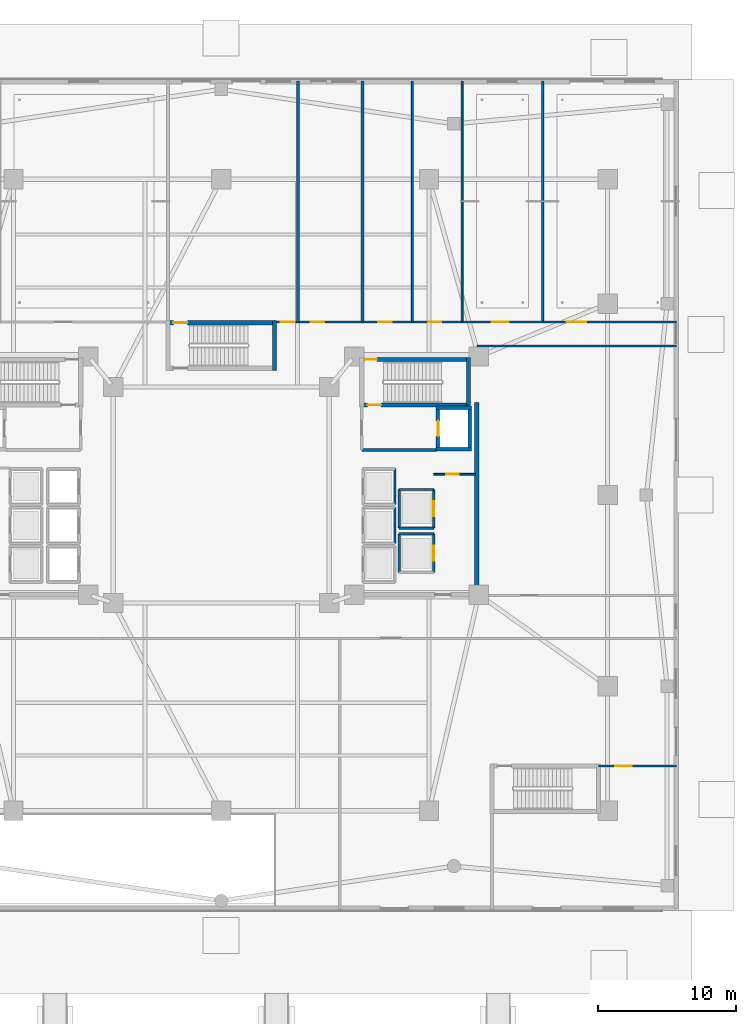
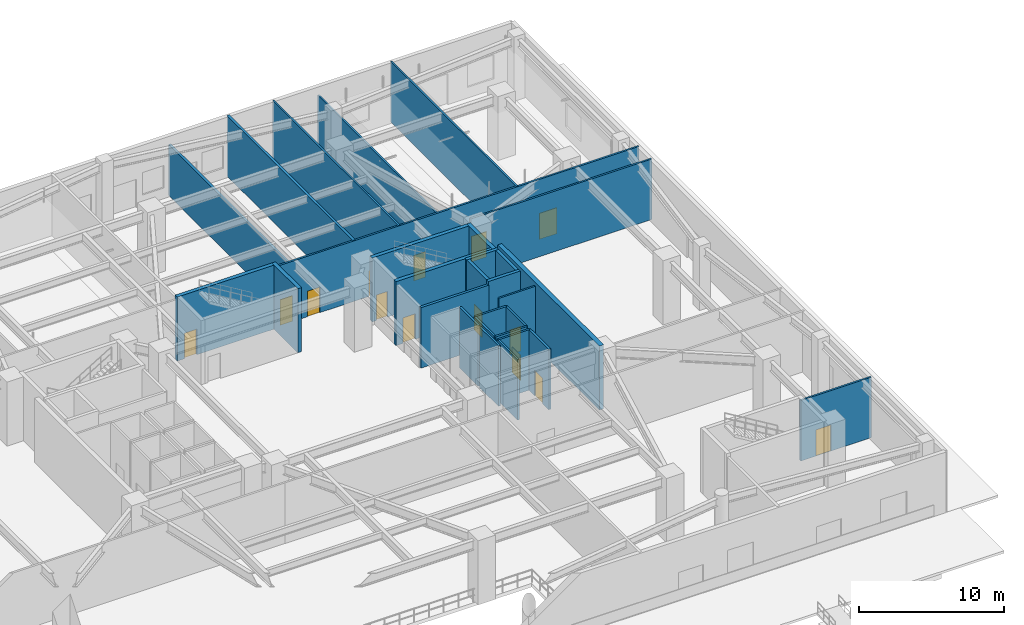
# One storey, part 5 of 18: 29 walls, 14 doors, 14 openings.
"""IFC4 building model written with IfcOpenShell, lengths in metres."""

from ifc_helpers import new_model, si_unit, direction, frame, frame_2d, origin, place, context, subcontext, project, spatial, rectangle, extrude, material, layer, layer_set, type_object, element, fill, save


model = new_model("IFC4")

# Units and contexts
model_context = context("Model", 3, precision=1e-05, world=origin(), true_north=direction((0.0, 1.0)))
body_context = subcontext(model_context, "Body", "Model", "MODEL_VIEW")
ifc_project = project(units=[si_unit("LENGTHUNIT", "METRE"), si_unit("AREAUNIT", "SQUARE_METRE"), si_unit("VOLUMEUNIT", "CUBIC_METRE"), si_unit("PLANEANGLEUNIT", "RADIAN"), si_unit("MASSUNIT", "GRAM", prefix="KILO")], contexts=[model_context])

# Site, building, storey
site_placement = place(None, origin())
site = spatial("IfcSite", under=ifc_project, at=site_placement, CompositionType="ELEMENT")
building_placement = place(site_placement, origin())
building = spatial("IfcBuilding", under=site, at=building_placement, Name="Tarnavaz Court Tower", CompositionType="ELEMENT")
storey_placement = place(building_placement, origin())
storey = spatial("IfcBuildingStorey", under=building, at=storey_placement, Name="L00", CompositionType="ELEMENT", Elevation=0.0)

# Wall, opening, door
ifc_material_1 = material(Name="Concrete C60/75", Category="concrete")
ifc_layer_1 = layer(ifc_material_1, 0.25)
ifc_layer_set_1 = layer_set([ifc_layer_1], Name="Concrete C60/75")
wall_type_1 = type_object("IfcWallType", Name="WL-CORE-250-C60", PredefinedType="SHEAR", material=ifc_layer_set_1)
wall_1_placement = place(storey_placement, frame((15.64990234375, 3.175048828125, 0.0), z_axis=(0.0, 0.0, 1.0), x_axis=(0.0, 1.0, 0.0)))
wall_1 = element("IfcWall", 1, at=wall_1_placement, inside=storey, type_object=wall_type_1, Name="L00 Lift FL-E1 Shaft Wall 049", PredefinedType="SHEAR", context=body_context, shape_type="SweptSolid", body=[
    extrude(rectangle(XDim=3.25, YDim=0.25, at=frame_2d((1.625, 0.0))), origin(), (0.0, 0.0, 1.0), 5.39990234375),
])
opening_1_placement = place(wall_1_placement, frame((1.074951171875, 0.0, 0.0)))
opening_1 = element("IfcOpeningElement", 2, at=opening_1_placement, cuts=wall_1, Name="Opening LD1", PredefinedType="OPENING", context=body_context, shape_type="SweptSolid", body=[
    extrude(rectangle(XDim=1.10009765625, YDim=2.14990234375, at=frame_2d((0.550048828125, 1.074951171875))), frame((0.0, 0.135009765625, 0.0), z_axis=(0.0, -1.0, 0.0), x_axis=(1.0, 0.0, 0.0)), (0.0, 0.0, 1.0), 0.27001953125),
])
ifc_material_2 = material(Name="Stainless Steel", Category="steel")
door_type_1 = type_object("IfcDoorType", Name="DR-LD-1100", OperationType="NOTDEFINED", PredefinedType="DOOR", material=ifc_material_2)
door_1_placement = place(opening_1_placement, origin())
door_1 = element("IfcDoor", 3, at=door_1_placement, inside=storey, type_object=door_type_1, Name="L00 Lift Landing Door LD-FL-E1", OperationType="SLIDING_TO_LEFT", OverallHeight=2.14990234375, OverallWidth=1.10009765625, PredefinedType="DOOR", context=body_context, shape_type="SweptSolid", body=[
    extrude(rectangle(XDim=1.10009765625, YDim=2.14990234375, at=frame_2d((0.550048828125, 1.074951171875))), frame((0.0, 0.02490234375, 0.0), z_axis=(0.0, -1.0, 0.0), x_axis=(1.0, 0.0, 0.0)), (0.0, 0.0, 1.0), 0.050048828125),
])
fill(opening_1, door_1)

# Walls
wall_2_placement = place(storey_placement, frame((17.949951171875, 3.175048828125, 0.0), z_axis=(0.0, 0.0, 1.0), x_axis=(0.0, 1.0, 0.0)))
element("IfcWall", 4, at=wall_2_placement, inside=storey, type_object=wall_type_1, Name="L00 Lift FL-E1 Shaft Wall 050", PredefinedType="SHEAR", context=body_context, shape_type="SweptSolid", body=[
    extrude(rectangle(XDim=3.25, YDim=0.25, at=frame_2d((1.625, 0.0))), origin(), (0.0, 0.0, 1.0), 5.39990234375),
])
for number, where, z_axis, x_axis, name in (
    (5, (15.52490234375, 3.300048828125, 0.0), (0.0, 0.0, 1.0), (1.0, 0.0, 0.0), "L00 Lift FL-E1 Shaft Wall 051"),
    (6, (15.52490234375, 6.300048828125, 0.0), (0.0, 0.0, 1.0), (1.0, 0.0, 0.0), "L00 Lift FL-E1 Shaft Wall 052"),
):
    element("IfcWall", number, at=place(storey_placement, frame(where, z_axis=z_axis, x_axis=x_axis)), inside=storey, type_object=wall_type_1, Name=name, PredefinedType="SHEAR", context=body_context, shape_type="SweptSolid", body=[
        extrude(rectangle(XDim=2.550048828125, YDim=0.25, at=frame_2d((1.27490234375, 0.0))), origin(), (0.0, 0.0, 1.0), 5.39990234375),
    ])

# Wall, opening, door
ifc_layer_2 = layer(ifc_material_1, 0.300048828125)
ifc_layer_set_2 = layer_set([ifc_layer_2], Name="Concrete C60/75")
wall_type_2 = type_object("IfcWallType", Name="WL-CORE-300-C60", PredefinedType="SHEAR", material=ifc_layer_set_2)
wall_3_placement = place(storey_placement, frame((10.0, 9.7900390625, 0.0), z_axis=(0.0, 0.0, 1.0), x_axis=(1.0, 0.0, 0.0)))
wall_3 = element("IfcWall", 7, at=wall_3_placement, inside=storey, type_object=wall_type_2, Name="L00 East Stair Core Wall 005", PredefinedType="SHEAR", context=body_context, shape_type="SweptSolid", body=[
    extrude(rectangle(XDim=8.0, YDim=0.300048828125, at=frame_2d((4.0, 0.0))), origin(), (0.0, 0.0, 1.0), 5.39990234375),
])
opening_2_placement = place(wall_3_placement, frame((0.330078125, 0.0, 0.0)))
opening_2 = element("IfcOpeningElement", 8, at=opening_2_placement, cuts=wall_3, Name="Opening SD2", PredefinedType="OPENING", context=body_context, shape_type="SweptSolid", body=[
    extrude(rectangle(XDim=0.89990234375, YDim=2.14990234375, at=frame_2d((0.449951171875, 1.074951171875))), frame((0.0, 0.159912109375, 0.0), z_axis=(0.0, -1.0, 0.0), x_axis=(1.0, 0.0, 0.0)), (0.0, 0.0, 1.0), 0.320068359375),
])
ifc_material_3 = material(Name="Fire-Rated Hardwood Timber Core", Category="wood")
door_type_2 = type_object("IfcDoorType", Name="DR-FD90-900", OperationType="NOTDEFINED", PredefinedType="DOOR", material=ifc_material_3)
door_2_placement = place(opening_2_placement, origin())
door_2 = element("IfcDoor", 9, at=door_2_placement, inside=storey, type_object=door_type_2, Name="L00 Stair ST-E1 Ground Protected Discharge Door", OperationType="SINGLE_SWING_LEFT", OverallHeight=2.14990234375, OverallWidth=0.89990234375, PredefinedType="DOOR", context=body_context, shape_type="SweptSolid", body=[
    extrude(rectangle(XDim=0.89990234375, YDim=2.14990234375, at=frame_2d((0.449951171875, 1.074951171875))), frame((0.0, 0.02490234375, 0.0), z_axis=(0.0, -1.0, 0.0), x_axis=(1.0, 0.0, 0.0)), (0.0, 0.0, 1.0), 0.050048828125),
])
fill(opening_2, door_2)

wall_4_placement = place(storey_placement, frame((10.0, 6.5, 0.0), z_axis=(0.0, 0.0, 1.0), x_axis=(1.0, 0.0, 0.0)))
wall_4 = element("IfcWall", 10, at=wall_4_placement, inside=storey, type_object=wall_type_2, Name="L00 East Stair Core Wall 006", PredefinedType="SHEAR", context=body_context, shape_type="SweptSolid", body=[
    extrude(rectangle(XDim=8.0, YDim=0.300048828125, at=frame_2d((4.0, 0.0))), origin(), (0.0, 0.0, 1.0), 5.39990234375),
])
opening_3_placement = place(wall_4_placement, frame((0.550048828125, 0.0, 0.0)))
opening_3 = element("IfcOpeningElement", 11, at=opening_3_placement, cuts=wall_4, Name="Opening D01", PredefinedType="OPENING", context=body_context, shape_type="SweptSolid", body=[
    extrude(rectangle(XDim=1.0, YDim=2.14990234375, at=frame_2d((0.5, 1.074951171875))), frame((0.0, 0.159912109375, 0.0), z_axis=(0.0, -1.0, 0.0), x_axis=(1.0, 0.0, 0.0)), (0.0, 0.0, 1.0), 0.320068359375),
])
door_type_3 = type_object("IfcDoorType", Name="DR-FD90-1000", OperationType="NOTDEFINED", PredefinedType="DOOR", material=ifc_material_3)
door_3_placement = place(opening_3_placement, origin())
door_3 = element("IfcDoor", 12, at=door_3_placement, inside=storey, type_object=door_type_3, Name="L00 Stair ST-E1 Exit Door", OperationType="SINGLE_SWING_RIGHT", OverallHeight=2.14990234375, OverallWidth=1.0, PredefinedType="DOOR", context=body_context, shape_type="SweptSolid", body=[
    extrude(rectangle(XDim=1.0, YDim=2.14990234375, at=frame_2d((0.5, 1.074951171875))), frame((0.0, 0.02490234375, 0.0), z_axis=(0.0, -1.0, 0.0), x_axis=(1.0, 0.0, 0.0)), (0.0, 0.0, 1.0), 0.050048828125),
])
fill(opening_3, door_3)

# Wall
wall_5_placement = place(storey_placement, frame((17.85009765625, 6.35009765625, 0.0), z_axis=(0.0, 0.0, 1.0), x_axis=(0.0, 1.0, 0.0)))
element("IfcWall", 13, at=wall_5_placement, inside=storey, type_object=wall_type_2, Name="L00 East Stair Core Wall 008", PredefinedType="SHEAR", context=body_context, shape_type="SweptSolid", body=[
    extrude(rectangle(XDim=3.58984375, YDim=0.300048828125, at=frame_2d((1.794921875, 0.0))), origin(), (0.0, 0.0, 1.0), 5.39990234375),
])

# Wall, opening, door
wall_6_placement = place(storey_placement, frame((-4.0, 12.43994140625, 0.0), z_axis=(0.0, 0.0, 1.0), x_axis=(1.0, 0.0, 0.0)))
wall_6 = element("IfcWall", 14, at=wall_6_placement, inside=storey, type_object=wall_type_2, Name="L00 North Stair Core Wall 009", PredefinedType="SHEAR", context=body_context, shape_type="SweptSolid", body=[
    extrude(rectangle(XDim=8.0, YDim=0.300048828125, at=frame_2d((4.0, 0.0))), origin(), (0.0, 0.0, 1.0), 5.39990234375),
])
opening_4_placement = place(wall_6_placement, frame((0.550048828125, 0.0, 0.0)))
opening_4 = element("IfcOpeningElement", 15, at=opening_4_placement, cuts=wall_6, Name="Opening D01", PredefinedType="OPENING", context=body_context, shape_type="SweptSolid", body=[
    extrude(rectangle(XDim=1.0, YDim=2.14990234375, at=frame_2d((0.5, 1.074951171875))), frame((0.0, 0.159912109375, 0.0), z_axis=(0.0, -1.0, 0.0), x_axis=(1.0, 0.0, 0.0)), (0.0, 0.0, 1.0), 0.320068359375),
])
door_4_placement = place(opening_4_placement, origin())
door_4 = element("IfcDoor", 16, at=door_4_placement, inside=storey, type_object=door_type_3, Name="L00 Stair ST-N1 Ground Protected Discharge Door", OperationType="SINGLE_SWING_LEFT", OverallHeight=2.14990234375, OverallWidth=1.0, PredefinedType="DOOR", context=body_context, shape_type="SweptSolid", body=[
    extrude(rectangle(XDim=1.0, YDim=2.14990234375, at=frame_2d((0.5, 1.074951171875))), frame((0.0, 0.02490234375, 0.0), z_axis=(0.0, -1.0, 0.0), x_axis=(1.0, 0.0, 0.0)), (0.0, 0.0, 1.0), 0.050048828125),
])
fill(opening_4, door_4)

# Walls
wall_7_placement = place(storey_placement, frame((3.85009765625, 9.0, 0.0), z_axis=(0.0, 0.0, 1.0), x_axis=(0.0, 1.0, 0.0)))
element("IfcWall", 17, at=wall_7_placement, inside=storey, type_object=wall_type_2, Name="L00 North Stair Core Wall 012", PredefinedType="SHEAR", context=body_context, shape_type="SweptSolid", body=[
    extrude(rectangle(XDim=3.590087890625, YDim=0.300048828125, at=frame_2d((1.794921875, 0.0))), origin(), (0.0, 0.0, 1.0), 5.39990234375),
])
ifc_layer_3 = layer(ifc_material_1, 0.35009765625)
ifc_layer_set_3 = layer_set([ifc_layer_3], Name="Concrete C60/75")
wall_type_3 = type_object("IfcWallType", Name="WL-CORE-350-C60", PredefinedType="SHEAR", material=ifc_layer_set_3)
wall_8_placement = place(storey_placement, frame((18.449951171875, -7.375, 0.0), z_axis=(0.0, 0.0, 1.0), x_axis=(0.0, 1.0, 0.0)))
element("IfcWall", 18, at=wall_8_placement, inside=storey, type_object=wall_type_3, Name="L00 East Core Shear Wall 075", PredefinedType="SHEAR", context=body_context, shape_type="SweptSolid", body=[
    extrude(rectangle(XDim=14.050048828125, YDim=0.35009765625, at=frame_2d((7.02490234375, 0.0))), origin(), (0.0, 0.0, 1.0), 5.39990234375),
])

# Wall, openings, doors
ifc_material_4 = material(Name="Gypsum Fire-Board on Acoustic Metal Stud", Category="masonry")
ifc_layer_4 = layer(ifc_material_4, 0.14990234375)
ifc_layer_set_4 = layer_set([ifc_layer_4], Name="Gypsum Fire-Board on Acoustic Metal Stud")
wall_type_4 = type_object("IfcWallType", Name="WL-FIRE-150", PredefinedType="PARTITIONING", material=ifc_layer_set_4)
wall_9_placement = place(storey_placement, frame((3.85009765625, 12.5, 0.0), z_axis=(0.0, 0.0, 1.0), x_axis=(1.0, 0.0, 0.0)))
wall_9 = element("IfcWall", 19, at=wall_9_placement, inside=storey, type_object=wall_type_4, Name="L00 NE Wing Corridor Wall 080", PredefinedType="PARTITIONING", context=body_context, shape_type="SweptSolid", body=[
    extrude(rectangle(XDim=29.02978515625, YDim=0.14990234375, at=frame_2d((14.514892578125, 0.0))), origin(), (0.0, 0.0, 1.0), 5.10009765625),
])
opening_5_placement = place(wall_9_placement, frame((0.449951171875, 0.0, 0.0)))
opening_5 = element("IfcOpeningElement", 20, at=opening_5_placement, cuts=wall_9, Name="Opening D01", PredefinedType="OPENING", context=body_context, shape_type="SweptSolid", body=[
    extrude(rectangle(XDim=1.0, YDim=2.14990234375, at=frame_2d((0.5, 1.074951171875))), frame((0.0, 0.0849609375, 0.0), z_axis=(0.0, -1.0, 0.0), x_axis=(1.0, 0.0, 0.0)), (0.0, 0.0, 1.0), 0.169921875),
])
opening_6_placement = place(wall_9_placement, frame((2.60009765625, 0.0, 0.0)))
opening_6 = element("IfcOpeningElement", 21, at=opening_6_placement, cuts=wall_9, Name="Opening D01", PredefinedType="OPENING", context=body_context, shape_type="SweptSolid", body=[
    extrude(rectangle(XDim=1.0, YDim=2.14990234375, at=frame_2d((0.5, 1.074951171875))), frame((0.0, 0.0849609375, 0.0), z_axis=(0.0, -1.0, 0.0), x_axis=(1.0, 0.0, 0.0)), (0.0, 0.0, 1.0), 0.169921875),
])
opening_7_placement = place(wall_9_placement, frame((7.5, 0.0, 0.0)))
opening_7 = element("IfcOpeningElement", 22, at=opening_7_placement, cuts=wall_9, Name="Opening D13", PredefinedType="OPENING", context=body_context, shape_type="SweptSolid", body=[
    extrude(rectangle(XDim=0.949951171875, YDim=2.14990234375, at=frame_2d((0.47509765625, 1.074951171875))), frame((0.0, 0.0849609375, 0.0), z_axis=(0.0, -1.0, 0.0), x_axis=(1.0, 0.0, 0.0)), (0.0, 0.0, 1.0), 0.169921875),
])
opening_8_placement = place(wall_9_placement, frame((11.10009765625, 0.0, 0.0)))
opening_8 = element("IfcOpeningElement", 23, at=opening_8_placement, cuts=wall_9, Name="Opening D13", PredefinedType="OPENING", context=body_context, shape_type="SweptSolid", body=[
    extrude(rectangle(XDim=0.949951171875, YDim=2.14990234375, at=frame_2d((0.47509765625, 1.074951171875))), frame((0.0, 0.0849609375, 0.0), z_axis=(0.0, -1.0, 0.0), x_axis=(1.0, 0.0, 0.0)), (0.0, 0.0, 1.0), 0.169921875),
])
opening_9_placement = place(wall_9_placement, frame((15.699951171875, 0.0, 0.0)))
opening_9 = element("IfcOpeningElement", 24, at=opening_9_placement, cuts=wall_9, Name="Opening D11", PredefinedType="OPENING", context=body_context, shape_type="SweptSolid", body=[
    extrude(rectangle(XDim=1.199951171875, YDim=2.14990234375, at=frame_2d((0.60009765625, 1.074951171875))), frame((0.0, 0.0849609375, 0.0), z_axis=(0.0, -1.0, 0.0), x_axis=(1.0, 0.0, 0.0)), (0.0, 0.0, 1.0), 0.169921875),
])
opening_10_placement = place(wall_9_placement, frame((21.10009765625, 0.0, 0.0)))
opening_10 = element("IfcOpeningElement", 25, at=opening_10_placement, cuts=wall_9, Name="Opening D10", PredefinedType="OPENING", context=body_context, shape_type="SweptSolid", body=[
    extrude(rectangle(XDim=1.39990234375, YDim=2.199951171875, at=frame_2d((0.699951171875, 1.10009765625))), frame((0.0, 0.0849609375, 0.0), z_axis=(0.0, -1.0, 0.0), x_axis=(1.0, 0.0, 0.0)), (0.0, 0.0, 1.0), 0.169921875),
])
door_5_placement = place(opening_5_placement, origin())
door_5 = element("IfcDoor", 26, at=door_5_placement, inside=storey, type_object=door_type_3, Name="L00 Stair ST-N1 Protected Passage Door", OperationType="SINGLE_SWING_RIGHT", OverallHeight=2.14990234375, OverallWidth=1.0, PredefinedType="DOOR", context=body_context, shape_type="SweptSolid", body=[
    extrude(rectangle(XDim=1.0, YDim=2.14990234375, at=frame_2d((0.5, 1.074951171875))), frame((0.0, 0.02490234375, 0.0), z_axis=(0.0, -1.0, 0.0), x_axis=(1.0, 0.0, 0.0)), (0.0, 0.0, 1.0), 0.050048828125),
])
fill(opening_5, door_5)
door_6_placement = place(opening_6_placement, origin())
door_6 = element("IfcDoor", 27, at=door_6_placement, inside=storey, type_object=door_type_3, Name="L00 Fire Command Centre Door", OperationType="SINGLE_SWING_RIGHT", OverallHeight=2.14990234375, OverallWidth=1.0, PredefinedType="DOOR", context=body_context, shape_type="SweptSolid", body=[
    extrude(rectangle(XDim=1.0, YDim=2.14990234375, at=frame_2d((0.5, 1.074951171875))), frame((0.0, 0.02490234375, 0.0), z_axis=(0.0, -1.0, 0.0), x_axis=(1.0, 0.0, 0.0)), (0.0, 0.0, 1.0), 0.050048828125),
])
fill(opening_6, door_6)
ifc_material_5 = material(Name="Engineered Oak Timber", Category="wood")
door_type_4 = type_object("IfcDoorType", Name="DR-INT-1200", OperationType="NOTDEFINED", PredefinedType="DOOR", material=ifc_material_5)
door_7_placement = place(opening_9_placement, origin())
door_7 = element("IfcDoor", 28, at=door_7_placement, inside=storey, type_object=door_type_4, Name="L00 Consultation Suite Door", OperationType="SINGLE_SWING_LEFT", OverallHeight=2.14990234375, OverallWidth=1.199951171875, PredefinedType="DOOR", context=body_context, shape_type="SweptSolid", body=[
    extrude(rectangle(XDim=1.199951171875, YDim=2.14990234375, at=frame_2d((0.60009765625, 1.074951171875))), frame((0.0, 0.02490234375, 0.0), z_axis=(0.0, -1.0, 0.0), x_axis=(1.0, 0.0, 0.0)), (0.0, 0.0, 1.0), 0.050048828125),
])
fill(opening_9, door_7)
door_type_5 = type_object("IfcDoorType", Name="DR-INT-1400", OperationType="NOTDEFINED", PredefinedType="DOOR", material=ifc_material_5)
door_8_placement = place(opening_10_placement, origin())
door_8 = element("IfcDoor", 29, at=door_8_placement, inside=storey, type_object=door_type_5, Name="L00 Residential Lobby Door", OperationType="SINGLE_SWING_RIGHT", OverallHeight=2.199951171875, OverallWidth=1.39990234375, PredefinedType="DOOR", context=body_context, shape_type="SweptSolid", body=[
    extrude(rectangle(XDim=1.39990234375, YDim=2.199951171875, at=frame_2d((0.699951171875, 1.10009765625))), frame((0.0, 0.02490234375, 0.0), z_axis=(0.0, -1.0, 0.0), x_axis=(1.0, 0.0, 0.0)), (0.0, 0.0, 1.0), 0.050048828125),
])
fill(opening_10, door_8)
door_type_6 = type_object("IfcDoorType", Name="DR-INT-950", OperationType="NOTDEFINED", PredefinedType="DOOR", material=ifc_material_5)
door_9_placement = place(opening_7_placement, origin())
door_9 = element("IfcDoor", 30, at=door_9_placement, inside=storey, type_object=door_type_6, Name="L00 Ground Accessible WC Door", OperationType="SINGLE_SWING_LEFT", OverallHeight=2.14990234375, OverallWidth=0.949951171875, PredefinedType="DOOR", context=body_context, shape_type="SweptSolid", body=[
    extrude(rectangle(XDim=0.949951171875, YDim=2.14990234375, at=frame_2d((0.47509765625, 1.074951171875))), frame((0.0, 0.02490234375, 0.0), z_axis=(0.0, -1.0, 0.0), x_axis=(1.0, 0.0, 0.0)), (0.0, 0.0, 1.0), 0.050048828125),
])
fill(opening_7, door_9)
door_10_placement = place(opening_8_placement, origin())
door_10 = element("IfcDoor", 31, at=door_10_placement, inside=storey, type_object=door_type_6, Name="L00 Ground Public Toilets Door", OperationType="SINGLE_SWING_RIGHT", OverallHeight=2.14990234375, OverallWidth=0.949951171875, PredefinedType="DOOR", context=body_context, shape_type="SweptSolid", body=[
    extrude(rectangle(XDim=0.949951171875, YDim=2.14990234375, at=frame_2d((0.47509765625, 1.074951171875))), frame((0.0, 0.02490234375, 0.0), z_axis=(0.0, -1.0, 0.0), x_axis=(1.0, 0.0, 0.0)), (0.0, 0.0, 1.0), 0.050048828125),
])
fill(opening_8, door_10)

# Wall, opening, door
wall_10_placement = place(storey_placement, frame((27.25, -19.56005859375, 0.0), z_axis=(0.0, 0.0, 1.0), x_axis=(1.0, 0.0, 0.0)))
wall_10 = element("IfcWall", 32, at=wall_10_placement, inside=storey, type_object=wall_type_4, Name="L00 Interior Partition 093", PredefinedType="PARTITIONING", context=body_context, shape_type="SweptSolid", body=[
    extrude(rectangle(XDim=5.6298828125, YDim=0.14990234375, at=frame_2d((2.81494140625, 0.0))), origin(), (0.0, 0.0, 1.0), 5.10009765625),
])
opening_11_placement = place(wall_10_placement, frame((1.199951171875, 0.0, 0.0)))
opening_11 = element("IfcOpeningElement", 33, at=opening_11_placement, cuts=wall_10, Name="Opening D03", PredefinedType="OPENING", context=body_context, shape_type="SweptSolid", body=[
    extrude(rectangle(XDim=1.199951171875, YDim=2.199951171875, at=frame_2d((0.60009765625, 1.10009765625))), frame((0.0, 0.0849609375, 0.0), z_axis=(0.0, -1.0, 0.0), x_axis=(1.0, 0.0, 0.0)), (0.0, 0.0, 1.0), 0.169921875),
])
door_type_7 = type_object("IfcDoorType", Name="DR-FD90-1200", OperationType="NOTDEFINED", PredefinedType="DOOR", material=ifc_material_3)
door_11_placement = place(opening_11_placement, origin())
door_11 = element("IfcDoor", 34, at=door_11_placement, inside=storey, type_object=door_type_7, Name="L00 South-East Exit Vestibule Door", OperationType="SINGLE_SWING_RIGHT", OverallHeight=2.199951171875, OverallWidth=1.199951171875, PredefinedType="DOOR", context=body_context, shape_type="SweptSolid", body=[
    extrude(rectangle(XDim=1.199951171875, YDim=2.199951171875, at=frame_2d((0.60009765625, 1.10009765625))), frame((0.0, 0.02490234375, 0.0), z_axis=(0.0, -1.0, 0.0), x_axis=(1.0, 0.0, 0.0)), (0.0, 0.0, 1.0), 0.050048828125),
])
fill(opening_11, door_11)

# Walls
wall_11_placement = place(storey_placement, frame((18.449951171875, 10.75, 0.0), z_axis=(0.0, 0.0, 1.0), x_axis=(1.0, 0.0, 0.0)))
element("IfcWall", 35, at=wall_11_placement, inside=storey, type_object=wall_type_4, Name="L00 Interior Partition 095", PredefinedType="PARTITIONING", context=body_context, shape_type="SweptSolid", body=[
    extrude(rectangle(XDim=14.429931640625, YDim=0.14990234375, at=frame_2d((7.21484375, 0.0))), origin(), (0.0, 0.0, 1.0), 5.10009765625),
])
ifc_material_6 = material(Name="Autoclaved Aerated Concrete Blockwork", Category="masonry")
ifc_layer_5 = layer(ifc_material_6, 0.199951171875)
ifc_layer_set_5 = layer_set([ifc_layer_5], Name="Autoclaved Aerated Concrete Blockwork")
wall_type_5 = type_object("IfcWallType", Name="WL-FIRE-200", PredefinedType="SOLIDWALL", material=ifc_layer_set_5)
wall_12_placement = place(storey_placement, frame((10.14990234375, 3.25, 0.0), z_axis=(0.0, 0.0, 1.0), x_axis=(1.0, 0.0, 0.0)))
element("IfcWall", 36, at=wall_12_placement, inside=storey, type_object=wall_type_5, Name="L00 East Firefighting Lobby Wall 019", PredefinedType="SOLIDWALL", context=body_context, shape_type="SweptSolid", body=[
    extrude(rectangle(XDim=5.400146484375, YDim=0.199951171875, at=frame_2d((2.7001953125, 0.0))), origin(), (0.0, 0.0, 1.0), 5.10009765625),
])
wall_13_placement = place(storey_placement, frame((5.550048828125, 12.5, 0.0), z_axis=(0.0, 0.0, 1.0), x_axis=(0.0, 1.0, 0.0)))
element("IfcWall", 37, at=wall_13_placement, inside=storey, type_object=wall_type_5, Name="L00 Interior Partition 085", PredefinedType="SOLIDWALL", context=body_context, shape_type="SweptSolid", body=[
    extrude(rectangle(XDim=17.3798828125, YDim=0.199951171875, at=frame_2d((8.68994140625, 0.0))), origin(), (0.0, 0.0, 1.0), 4.284912109375),
])
wall_14_placement = place(storey_placement, frame((10.199951171875, 12.5, 0.0), z_axis=(0.0, 0.0, 1.0), x_axis=(0.0, 1.0, 0.0)))
element("IfcWall", 38, at=wall_14_placement, inside=storey, type_object=wall_type_5, Name="L00 Interior Partition 087", PredefinedType="SOLIDWALL", context=body_context, shape_type="SweptSolid", body=[
    extrude(rectangle(XDim=17.3798828125, YDim=0.199951171875, at=frame_2d((8.68994140625, 0.0))), origin(), (0.0, 0.0, 1.0), 5.10009765625),
])

# Wall, opening, door
ifc_material_7 = material(Name="Gypsum Plasterboard Acoustic Partition", Category="masonry")
ifc_layer_6 = layer(ifc_material_7, 0.139892578125)
ifc_layer_set_6 = layer_set([ifc_layer_6], Name="Gypsum Plasterboard Acoustic Partition")
wall_type_6 = type_object("IfcWallType", Name="WL-PART-150", PredefinedType="PARTITIONING", material=ifc_layer_set_6)
wall_15_placement = place(storey_placement, frame((15.35009765625, 1.5, 0.0), z_axis=(0.0, 0.0, 1.0), x_axis=(1.0, 0.0, 0.0)))
wall_15 = element("IfcWall", 39, at=wall_15_placement, inside=storey, type_object=wall_type_6, Name="L00 Interior Partition 078", PredefinedType="PARTITIONING", context=body_context, shape_type="SweptSolid", body=[
    extrude(rectangle(XDim=3.0, YDim=0.139892578125, at=frame_2d((1.5, 0.0))), origin(), (0.0, 0.0, 1.0), 5.10009765625),
])
opening_12_placement = place(wall_15_placement, frame((0.89990234375, 0.0, 0.0)))
opening_12 = element("IfcOpeningElement", 40, at=opening_12_placement, cuts=wall_15, Name="Opening D09", PredefinedType="OPENING", context=body_context, shape_type="SweptSolid", body=[
    extrude(rectangle(XDim=0.89990234375, YDim=2.080078125, at=frame_2d((0.449951171875, 1.0400390625))), frame((0.0, 0.079833984375, 0.0), z_axis=(0.0, -1.0, 0.0), x_axis=(1.0, 0.0, 0.0)), (0.0, 0.0, 1.0), 0.159912109375),
])
door_type_8 = type_object("IfcDoorType", Name="DR-FD30-900", OperationType="NOTDEFINED", PredefinedType="DOOR", material=ifc_material_3)
door_12_placement = place(opening_12_placement, origin())
door_12 = element("IfcDoor", 41, at=door_12_placement, inside=storey, type_object=door_type_8, Name="L00 East Comms Plant Door", OperationType="SINGLE_SWING_RIGHT", OverallHeight=2.080078125, OverallWidth=0.89990234375, PredefinedType="DOOR", context=body_context, shape_type="SweptSolid", body=[
    extrude(rectangle(XDim=0.89990234375, YDim=2.080078125, at=frame_2d((0.449951171875, 1.0400390625))), frame((0.0, 0.02490234375, 0.0), z_axis=(0.0, -1.0, 0.0), x_axis=(1.0, 0.0, 0.0)), (0.0, 0.0, 1.0), 0.050048828125),
])
fill(opening_12, door_12)

# Walls
wall_16_placement = place(storey_placement, frame((13.800048828125, 12.5, 0.0), z_axis=(0.0, 0.0, 1.0), x_axis=(0.0, 1.0, 0.0)))
element("IfcWall", 42, at=wall_16_placement, inside=storey, type_object=wall_type_6, Name="L00 Interior Partition 088", PredefinedType="PARTITIONING", context=body_context, shape_type="SweptSolid", body=[
    extrude(rectangle(XDim=17.3798828125, YDim=0.139892578125, at=frame_2d((8.68994140625, 0.0))), origin(), (0.0, 0.0, 1.0), 5.10009765625),
])
wall_17_placement = place(storey_placement, frame((17.39990234375, 12.5, 0.0), z_axis=(0.0, 0.0, 1.0), x_axis=(0.0, 1.0, 0.0)))
element("IfcWall", 43, at=wall_17_placement, inside=storey, type_object=wall_type_6, Name="L00 Interior Partition 089", PredefinedType="PARTITIONING", context=body_context, shape_type="SweptSolid", body=[
    extrude(rectangle(XDim=17.3798828125, YDim=0.139892578125, at=frame_2d((8.68994140625, 0.0))), origin(), (0.0, 0.0, 1.0), 4.284912109375),
])
wall_18_placement = place(storey_placement, frame((23.199951171875, 12.5, 0.0), z_axis=(0.0, 0.0, 1.0), x_axis=(0.0, 1.0, 0.0)))
element("IfcWall", 44, at=wall_18_placement, inside=storey, type_object=wall_type_6, Name="L00 Interior Partition 090", PredefinedType="PARTITIONING", context=body_context, shape_type="SweptSolid", body=[
    extrude(rectangle(XDim=17.3798828125, YDim=0.139892578125, at=frame_2d((8.68994140625, 0.0))), origin(), (0.0, 0.0, 1.0), 5.10009765625),
])
ifc_layer_7 = layer(ifc_material_6, 0.159912109375)
ifc_layer_set_7 = layer_set([ifc_layer_7], Name="Autoclaved Aerated Concrete Blockwork")
wall_type_7 = type_object("IfcWallType", Name="WL-SHAFT-150", PredefinedType="SOLIDWALL", material=ifc_layer_set_7)
wall_19_placement = place(storey_placement, frame((12.550048828125, -3.5, 0.0), z_axis=(0.0, 0.0, 1.0), x_axis=(0.0, 1.0, 0.0)))
element("IfcWall", 45, at=wall_19_placement, inside=storey, type_object=wall_type_7, Name="L00 Lift PL-M2 Shaft Wall 058", PredefinedType="SOLIDWALL", context=body_context, shape_type="SweptSolid", body=[
    extrude(rectangle(XDim=2.60009765625, YDim=0.159912109375, at=frame_2d((1.300048828125, 0.0))), origin(), (0.0, 0.0, 1.0), 5.10009765625),
])
wall_20_placement = place(storey_placement, frame((12.550048828125, -0.699951171875, 0.0), z_axis=(0.0, 0.0, 1.0), x_axis=(0.0, 1.0, 0.0)))
element("IfcWall", 46, at=wall_20_placement, inside=storey, type_object=wall_type_7, Name="L00 Lift PL-M3 Shaft Wall 062", PredefinedType="SOLIDWALL", context=body_context, shape_type="SweptSolid", body=[
    extrude(rectangle(XDim=2.599853515625, YDim=0.159912109375, at=frame_2d((1.2998046875, 0.0))), origin(), (0.0, 0.0, 1.0), 5.10009765625),
])
wall_21_placement = place(storey_placement, frame((12.85009765625, -5.60009765625, 0.0), z_axis=(0.0, 0.0, 1.0), x_axis=(0.0, 1.0, 0.0)))
element("IfcWall", 47, at=wall_21_placement, inside=storey, type_object=wall_type_7, Name="L00 Lift PL-OB1 Shaft Wall 065", PredefinedType="SOLIDWALL", context=body_context, shape_type="SweptSolid", body=[
    extrude(rectangle(XDim=2.800048828125, YDim=0.159912109375, at=frame_2d((1.39990234375, 0.0))), origin(), (0.0, 0.0, 1.0), 5.10009765625),
])

# Wall, opening, door
wall_22_placement = place(storey_placement, frame((15.35009765625, -5.60009765625, 0.0), z_axis=(0.0, 0.0, 1.0), x_axis=(0.0, 1.0, 0.0)))
wall_22 = element("IfcWall", 48, at=wall_22_placement, inside=storey, type_object=wall_type_7, Name="L00 Lift PL-OB1 Shaft Wall 066", PredefinedType="SOLIDWALL", context=body_context, shape_type="SweptSolid", body=[
    extrude(rectangle(XDim=2.800048828125, YDim=0.159912109375, at=frame_2d((1.39990234375, 0.0))), origin(), (0.0, 0.0, 1.0), 5.10009765625),
])
opening_13_placement = place(wall_22_placement, frame((0.85009765625, 0.0, 0.0)))
opening_13 = element("IfcOpeningElement", 49, at=opening_13_placement, cuts=wall_22, Name="Opening LD1", PredefinedType="OPENING", context=body_context, shape_type="SweptSolid", body=[
    extrude(rectangle(XDim=1.10009765625, YDim=2.14990234375, at=frame_2d((0.550048828125, 1.074951171875))), frame((0.0, 0.08984375, 0.0), z_axis=(0.0, -1.0, 0.0), x_axis=(1.0, 0.0, 0.0)), (0.0, 0.0, 1.0), 0.179931640625),
])
door_13_placement = place(opening_13_placement, origin())
door_13 = element("IfcDoor", 50, at=door_13_placement, inside=storey, type_object=door_type_1, Name="L00 Lift Landing Door LD-PL-OB1", OperationType="SLIDING_TO_LEFT", OverallHeight=2.14990234375, OverallWidth=1.10009765625, PredefinedType="DOOR", context=body_context, shape_type="SweptSolid", body=[
    extrude(rectangle(XDim=1.10009765625, YDim=2.14990234375, at=frame_2d((0.550048828125, 1.074951171875))), frame((0.0, 0.02490234375, 0.0), z_axis=(0.0, -1.0, 0.0), x_axis=(1.0, 0.0, 0.0)), (0.0, 0.0, 1.0), 0.050048828125),
])
fill(opening_13, door_13)

# Walls
wall_23_placement = place(storey_placement, frame((12.85009765625, -2.800048828125, 0.0), z_axis=(0.0, 0.0, 1.0), x_axis=(1.0, 0.0, 0.0)))
element("IfcWall", 51, at=wall_23_placement, inside=storey, type_object=wall_type_7, Name="L00 Lift PL-OB1 Shaft Wall 068", PredefinedType="SOLIDWALL", context=body_context, shape_type="SweptSolid", body=[
    extrude(rectangle(XDim=2.5, YDim=0.159912109375, at=frame_2d((1.25, 0.0))), origin(), (0.0, 0.0, 1.0), 5.10009765625),
])
wall_24_placement = place(storey_placement, frame((12.85009765625, -2.39990234375, 0.0), z_axis=(0.0, 0.0, 1.0), x_axis=(0.0, 1.0, 0.0)))
element("IfcWall", 52, at=wall_24_placement, inside=storey, type_object=wall_type_7, Name="L00 Lift PL-OB2 Shaft Wall 069", PredefinedType="SOLIDWALL", context=body_context, shape_type="SweptSolid", body=[
    extrude(rectangle(XDim=2.7998046875, YDim=0.159912109375, at=frame_2d((1.39990234375, 0.0))), origin(), (0.0, 0.0, 1.0), 5.10009765625),
])

# Wall, opening, door
wall_25_placement = place(storey_placement, frame((15.35009765625, -2.39990234375, 0.0), z_axis=(0.0, 0.0, 1.0), x_axis=(0.0, 1.0, 0.0)))
wall_25 = element("IfcWall", 53, at=wall_25_placement, inside=storey, type_object=wall_type_7, Name="L00 Lift PL-OB2 Shaft Wall 070", PredefinedType="SOLIDWALL", context=body_context, shape_type="SweptSolid", body=[
    extrude(rectangle(XDim=2.7998046875, YDim=0.159912109375, at=frame_2d((1.39990234375, 0.0))), origin(), (0.0, 0.0, 1.0), 5.10009765625),
])
opening_14_placement = place(wall_25_placement, frame((0.85009765625, 0.0, 0.0)))
opening_14 = element("IfcOpeningElement", 54, at=opening_14_placement, cuts=wall_25, Name="Opening LD1", PredefinedType="OPENING", context=body_context, shape_type="SweptSolid", body=[
    extrude(rectangle(XDim=1.10009765625, YDim=2.14990234375, at=frame_2d((0.550048828125, 1.074951171875))), frame((0.0, 0.08984375, 0.0), z_axis=(0.0, -1.0, 0.0), x_axis=(1.0, 0.0, 0.0)), (0.0, 0.0, 1.0), 0.179931640625),
])
door_14_placement = place(opening_14_placement, origin())
door_14 = element("IfcDoor", 55, at=door_14_placement, inside=storey, type_object=door_type_1, Name="L00 Lift Landing Door LD-PL-OB2", OperationType="SLIDING_TO_LEFT", OverallHeight=2.14990234375, OverallWidth=1.10009765625, PredefinedType="DOOR", context=body_context, shape_type="SweptSolid", body=[
    extrude(rectangle(XDim=1.10009765625, YDim=2.14990234375, at=frame_2d((0.550048828125, 1.074951171875))), frame((0.0, 0.02490234375, 0.0), z_axis=(0.0, -1.0, 0.0), x_axis=(1.0, 0.0, 0.0)), (0.0, 0.0, 1.0), 0.050048828125),
])
fill(opening_14, door_14)

# Walls
for number, where, z_axis, x_axis, name in (
    (56, (12.85009765625, -2.39990234375, 0.0), (0.0, 0.0, 1.0), (1.0, 0.0, 0.0), "L00 Lift PL-OB2 Shaft Wall 071"),
    (57, (12.85009765625, 0.39990234375, 0.0), (0.0, 0.0, 1.0), (1.0, 0.0, 0.0), "L00 Lift PL-OB2 Shaft Wall 072"),
):
    element("IfcWall", number, at=place(storey_placement, frame(where, z_axis=z_axis, x_axis=x_axis)), inside=storey, type_object=wall_type_7, Name=name, PredefinedType="SOLIDWALL", context=body_context, shape_type="SweptSolid", body=[
        extrude(rectangle(XDim=2.5, YDim=0.159912109375, at=frame_2d((1.25, 0.0))), origin(), (0.0, 0.0, 1.0), 5.10009765625),
    ])

save(model, "model.ifc")
